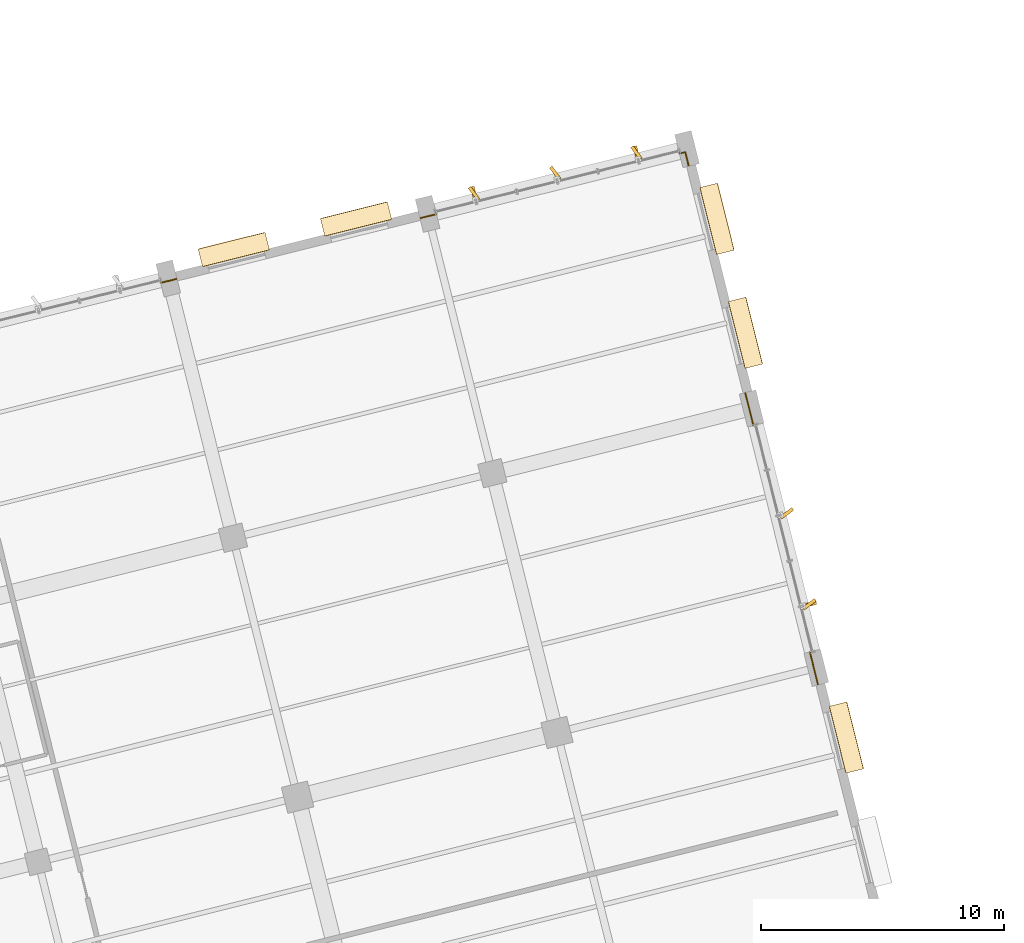
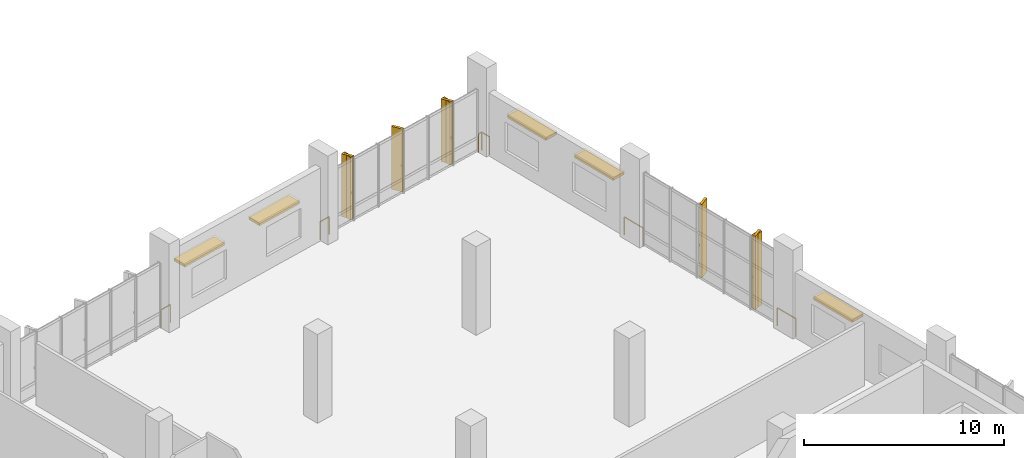
# One storey, part 174 of 176: 10 shading devices, 8 coverings, 5 railings.
"""IFC4 building model written with IfcOpenShell, lengths in metres."""

from ifc_helpers import new_model, si_unit, direction, frame, origin, origin_2d, place, context, subcontext, project, spatial, rectangle, extrude, material, layer, layer_set, type_object, element, save


model = new_model("IFC4")

# Units and contexts
model_context = context("Model", 3, precision=1e-05, world=origin(), true_north=direction((0.0, 1.0)))
body_context = subcontext(model_context, "Body", "Model", "MODEL_VIEW")
ifc_project = project(units=[si_unit("LENGTHUNIT", "METRE"), si_unit("AREAUNIT", "SQUARE_METRE"), si_unit("VOLUMEUNIT", "CUBIC_METRE"), si_unit("PLANEANGLEUNIT", "RADIAN"), si_unit("MASSUNIT", "GRAM", prefix="KILO")], contexts=[model_context])

# Site, building, storey
site_placement = place(None, origin())
site = spatial("IfcSite", under=ifc_project, at=site_placement, CompositionType="ELEMENT")
building_placement = place(site_placement, origin())
building = spatial("IfcBuilding", under=site, at=building_placement, Name="Khorjan Park Terminus", CompositionType="ELEMENT")
storey_placement = place(building_placement, frame((0.0, 0.0, 6.0)))
storey = spatial("IfcBuildingStorey", under=building, at=storey_placement, Name="L01", CompositionType="ELEMENT", Elevation=6.0)

# Coverings
ifc_material_1 = material(Name="Pigmented Precast GRC", Category="concrete")
ifc_layer_1 = layer(ifc_material_1, 0.16)
ifc_layer_set_1 = layer_set([ifc_layer_1], Name="Pigmented Precast GRC")
covering_type_1 = type_object("IfcCoveringType", Name="CV-FIN-GRC", PredefinedType="CLADDING", material=ifc_layer_set_1)
covering_placement = place(storey_placement, frame((219.1086, 63.2764, -0.02), z_axis=(0.0, 0.0, 1.0), x_axis=(-0.970295726276, -0.2419218956, 0.0)))
element("IfcCovering", 1, at=covering_placement, inside=storey, type_object=covering_type_1, Name="Projecting desert-sandstone GRC facade fin CL-FN1 (CW-V5-E-L01-B05-1)", PredefinedType="CLADDING", context=body_context, shape_type="SweptSolid", body=[
    extrude(rectangle(XDim=0.58, YDim=0.16, at=origin_2d()), origin(), (0.0, 0.0, 1.0), 4.485),
])
for number, where, z_axis, x_axis, name in (
    (2, (211.9946, 81.8541, -0.02), (0.0, 0.0, 1.0), (0.2419218956, -0.970295726276, 0.0), "Projecting desert-sandstone GRC facade fin CL-FN1 (CW-V5-N-L01-B01-1)"),
    (3, (205.3055, 80.1863, -0.02), (0.0, 0.0, 1.0), (0.2419218956, -0.970295726276, 0.0), "Projecting desert-sandstone GRC facade fin CL-FN1 (CW-V5-N-L01-B01-5)"),
):
    element("IfcCovering", number, at=place(storey_placement, frame(where, z_axis=z_axis, x_axis=x_axis)), inside=storey, type_object=covering_type_1, Name=name, PredefinedType="CLADDING", context=body_context, shape_type="SweptSolid", body=[
        extrude(rectangle(XDim=0.58, YDim=0.16, at=origin_2d()), origin(), (0.0, 0.0, 1.0), 3.825),
    ])
ifc_layer_2 = layer(ifc_material_1, 0.18)
ifc_layer_set_2 = layer_set([ifc_layer_2], Name="Pigmented Precast GRC")
covering_type_2 = type_object("IfcCoveringType", Name="CV-HOOD-GRC", PredefinedType="CLADDING", material=ifc_layer_set_2)
for number, where, z_axis, x_axis, name in (
    (4, (220.6307, 57.7913, 2.73), (0.0, 0.0, 1.0), (-0.241910213292, 0.970298638928, 0.0), "Projecting desert-sandstone GRC window eyebrow CL-HD1 (EW-V5-E-L01-B04-2)"),
    (5, (216.4782, 74.446, 2.73), (0.0, 0.0, 1.0), (-0.241919949632, 0.970296211458, 0.0), "Projecting desert-sandstone GRC window eyebrow CL-HD1 (EW-V5-E-L01-B06-1)"),
    (6, (215.3085, 79.1372, 2.73), (0.0, 0.0, 1.0), (-0.241919949632, 0.970296211458, 0.0), "Projecting desert-sandstone GRC window eyebrow CL-HD1 (EW-V5-E-L01-B06-2)"),
    (7, (200.4557, 79.1318, 2.73), (0.0, 0.0, 1.0), (-0.970297165188, -0.241916124366, 0.0), "Projecting desert-sandstone GRC window eyebrow CL-HD1 (EW-V5-N-L01-B02-1)"),
    (8, (195.4248, 77.8774, 2.73), (0.0, 0.0, 1.0), (-0.970297165188, -0.241916124366, 0.0), "Projecting desert-sandstone GRC window eyebrow CL-HD1 (EW-V5-N-L01-B02-2)"),
):
    element("IfcCovering", number, at=place(storey_placement, frame(where, z_axis=z_axis, x_axis=x_axis)), inside=storey, type_object=covering_type_2, Name=name, PredefinedType="CLADDING", context=body_context, shape_type="SweptSolid", body=[
        extrude(rectangle(XDim=2.84, YDim=0.74, at=origin_2d()), origin(), (0.0, 0.0, 1.0), 0.16),
    ])

# Railings
ifc_material_2 = material(Name="Steel S355", Category="steel")
railing_type = type_object("IfcRailingType", Name="GR-112", PredefinedType="GUARDRAIL", material=ifc_material_2)
railing_1_placement = place(storey_placement, frame((192.43, 76.5072, 0.0)))
element("IfcRailing", 9, at=railing_1_placement, inside=storey, type_object=railing_type, Name="Perimeter safety guard GR-112 (L01-30)", PredefinedType="GUARDRAIL", context=body_context, shape_type="SweptSolid", body=[
    extrude(rectangle(XDim=0.048, YDim=0.048, at=origin_2d()), frame((0.0, 0.0, 1.096), z_axis=(0.970306449081, 0.241878884718, 0.0), x_axis=(-0.241878884718, 0.970306449081, 0.0)), (0.0, 0.0, 1.0), 0.645),
    extrude(rectangle(XDim=0.042, YDim=0.042, at=origin_2d()), origin(), (0.0, 0.0, 1.0), 1.072),
    extrude(rectangle(XDim=0.042, YDim=0.042, at=origin_2d()), frame((0.6258, 0.156, 0.0)), (0.0, 0.0, 1.0), 1.072),
])
railing_2_placement = place(storey_placement, frame((203.1175, 79.1719, 0.0)))
element("IfcRailing", 10, at=railing_2_placement, inside=storey, type_object=railing_type, Name="Perimeter safety guard GR-112 (L01-31)", PredefinedType="GUARDRAIL", context=body_context, shape_type="SweptSolid", body=[
    extrude(rectangle(XDim=0.048, YDim=0.048, at=origin_2d()), frame((0.0, 0.0, 1.096), z_axis=(0.970315518329, 0.241842500175, 0.0), x_axis=(-0.241842500175, 0.970315518329, 0.0)), (0.0, 0.0, 1.0), 0.645),
    extrude(rectangle(XDim=0.042, YDim=0.042, at=origin_2d()), origin(), (0.0, 0.0, 1.0), 1.072),
    extrude(rectangle(XDim=0.042, YDim=0.042, at=origin_2d()), frame((0.6259, 0.156, 0.0)), (0.0, 0.0, 1.0), 1.072),
])
railing_3_placement = place(storey_placement, frame((213.7769, 81.8296, 0.0)))
element("IfcRailing", 11, at=railing_3_placement, inside=storey, type_object=railing_type, Name="Perimeter safety guard GR-112 (L01-33)", PredefinedType="GUARDRAIL", context=body_context, shape_type="SweptSolid", body=[
    extrude(rectangle(XDim=0.048, YDim=0.048, at=origin_2d()), frame((0.0, 0.0, 1.096), z_axis=(0.970295873999, 0.241921303114, 0.0), x_axis=(-0.241921303114, 0.970295873999, 0.0)), (0.0, 0.0, 1.0), 0.2298),
    extrude(rectangle(XDim=0.048, YDim=0.048, at=origin_2d()), frame((0.223, 0.0556, 1.096), z_axis=(0.241911448302, -0.97029833102, 0.0), x_axis=(0.97029833102, 0.241911448302, 0.0)), (0.0, 0.0, 1.0), 0.5655),
    extrude(rectangle(XDim=0.042, YDim=0.042, at=origin_2d()), origin(), (0.0, 0.0, 1.0), 1.072),
    extrude(rectangle(XDim=0.042, YDim=0.042, at=origin_2d()), frame((0.223, 0.0556, 0.0)), (0.0, 0.0, 1.0), 1.072),
    extrude(rectangle(XDim=0.042, YDim=0.042, at=origin_2d()), frame((0.3598, -0.4931, 0.0)), (0.0, 0.0, 1.0), 1.072),
])
railing_4_placement = place(storey_placement, frame((216.476, 71.954, 0.0)))
element("IfcRailing", 12, at=railing_4_placement, inside=storey, type_object=railing_type, Name="Perimeter safety guard GR-112 (L01-34)", PredefinedType="GUARDRAIL", context=body_context, shape_type="SweptSolid", body=[
    extrude(rectangle(XDim=0.048, YDim=0.048, at=origin_2d()), frame((0.0, 0.0, 1.096), z_axis=(0.241870763547, -0.970308473498, 0.0), x_axis=(0.970308473498, 0.241870763547, 0.0)), (0.0, 0.0, 1.0), 1.3449),
    extrude(rectangle(XDim=0.042, YDim=0.042, at=origin_2d()), origin(), (0.0, 0.0, 1.0), 1.072),
    extrude(rectangle(XDim=0.042, YDim=0.042, at=origin_2d()), frame((0.3253, -1.305, 0.0)), (0.0, 0.0, 1.0), 1.072),
])
railing_5_placement = place(storey_placement, frame((219.1334, 61.2956, 0.0)))
element("IfcRailing", 13, at=railing_5_placement, inside=storey, type_object=railing_type, Name="Perimeter safety guard GR-112 (L01-36)", PredefinedType="GUARDRAIL", context=body_context, shape_type="SweptSolid", body=[
    extrude(rectangle(XDim=0.048, YDim=0.048, at=origin_2d()), frame((0.0, 0.0, 1.096), z_axis=(0.241923311945, -0.97029537314, 0.0), x_axis=(0.97029537314, 0.241923311945, 0.0)), (0.0, 0.0, 1.0), 1.3451),
    extrude(rectangle(XDim=0.042, YDim=0.042, at=origin_2d()), origin(), (0.0, 0.0, 1.0), 1.072),
    extrude(rectangle(XDim=0.042, YDim=0.042, at=origin_2d()), frame((0.3254, -1.3051, 0.0)), (0.0, 0.0, 1.0), 1.072),
])

# Shading devices
ifc_material_3 = material(Name="Anodized Bronze Aluminium", Category="aluminium")
shading_device_type_1 = type_object("IfcShadingDeviceType", Name="SD-FIN-620", PredefinedType="JALOUSIE", material=ifc_material_3)
for number, where, z_axis, x_axis, name in (
    (14, (219.1086, 63.2764, -0.02), (0.0, 0.0, 1.0), (-0.809016994375, -0.587785252292, 0.0), "Angled solar brise-soleil fin SF-62 (CW-V5-E-L01-B05-1)"),
    (15, (218.1757, 67.0177, -0.02), (0.0, 0.0, 1.0), (-0.809016994375, -0.587785252292, 0.0), "Angled solar brise-soleil fin SF-62 (CW-V5-E-L01-B05-3)"),
):
    element("IfcShadingDevice", number, at=place(storey_placement, frame(where, z_axis=z_axis, x_axis=x_axis)), inside=storey, type_object=shading_device_type_1, Name=name, PredefinedType="JALOUSIE", context=body_context, shape_type="SweptSolid", body=[
        extrude(rectangle(XDim=0.62, YDim=0.14, at=origin_2d()), origin(), (0.0, 0.0, 1.0), 4.485),
    ])
for number, where, z_axis, x_axis, name in (
    (16, (211.9946, 81.8541, -0.02), (0.0, 0.0, 1.0), (0.587785252292, -0.809016994375, 0.0), "Angled solar brise-soleil fin SF-62 (CW-V5-N-L01-B01-1)"),
    (17, (208.6501, 81.0202, -0.02), (0.0, 0.0, 1.0), (0.587785252292, -0.809016994375, 0.0), "Angled solar brise-soleil fin SF-62 (CW-V5-N-L01-B01-3)"),
    (18, (205.3055, 80.1863, -0.02), (0.0, 0.0, 1.0), (0.587785252292, -0.809016994375, 0.0), "Angled solar brise-soleil fin SF-62 (CW-V5-N-L01-B01-5)"),
):
    element("IfcShadingDevice", number, at=place(storey_placement, frame(where, z_axis=z_axis, x_axis=x_axis)), inside=storey, type_object=shading_device_type_1, Name=name, PredefinedType="JALOUSIE", context=body_context, shape_type="SweptSolid", body=[
        extrude(rectangle(XDim=0.62, YDim=0.14, at=origin_2d()), origin(), (0.0, 0.0, 1.0), 3.825),
    ])
shading_device_type_2 = type_object("IfcShadingDeviceType", Name="SD-SUN-750", PredefinedType="SHUTTER", material=ifc_material_3)
for number, where, z_axis, x_axis, name in (
    (19, (220.6307, 57.7913, 2.66), (0.0, 0.0, 1.0), (-0.241910213292, 0.970298638928, 0.0), "Projecting solar overhang hood SH-75 (EW-V5-E-L01-B04-2)"),
    (20, (216.4782, 74.446, 2.66), (0.0, 0.0, 1.0), (-0.241919949632, 0.970296211458, 0.0), "Projecting solar overhang hood SH-75 (EW-V5-E-L01-B06-1)"),
    (21, (215.3085, 79.1372, 2.66), (0.0, 0.0, 1.0), (-0.241919949632, 0.970296211458, 0.0), "Projecting solar overhang hood SH-75 (EW-V5-E-L01-B06-2)"),
    (22, (200.4557, 79.1318, 2.66), (0.0, 0.0, 1.0), (-0.970297165188, -0.241916124366, 0.0), "Projecting solar overhang hood SH-75 (EW-V5-N-L01-B02-1)"),
    (23, (195.4248, 77.8774, 2.66), (0.0, 0.0, 1.0), (-0.970297165188, -0.241916124366, 0.0), "Projecting solar overhang hood SH-75 (EW-V5-N-L01-B02-2)"),
):
    element("IfcShadingDevice", number, at=place(storey_placement, frame(where, z_axis=z_axis, x_axis=x_axis)), inside=storey, type_object=shading_device_type_2, Name=name, PredefinedType="SHUTTER", context=body_context, shape_type="SweptSolid", body=[
        extrude(rectangle(XDim=2.76, YDim=0.76, at=origin_2d()), origin(), (0.0, 0.0, 1.0), 0.14),
    ])

save(model, "model.ifc")
